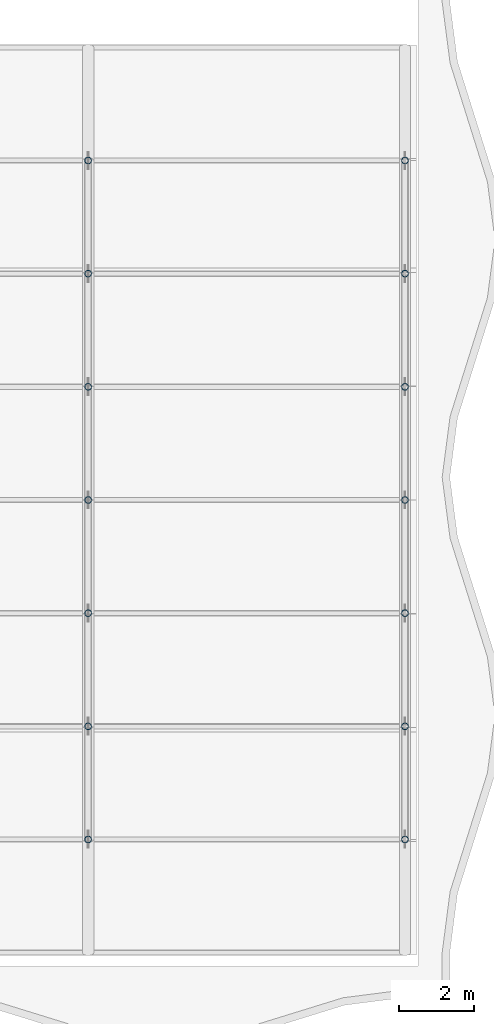
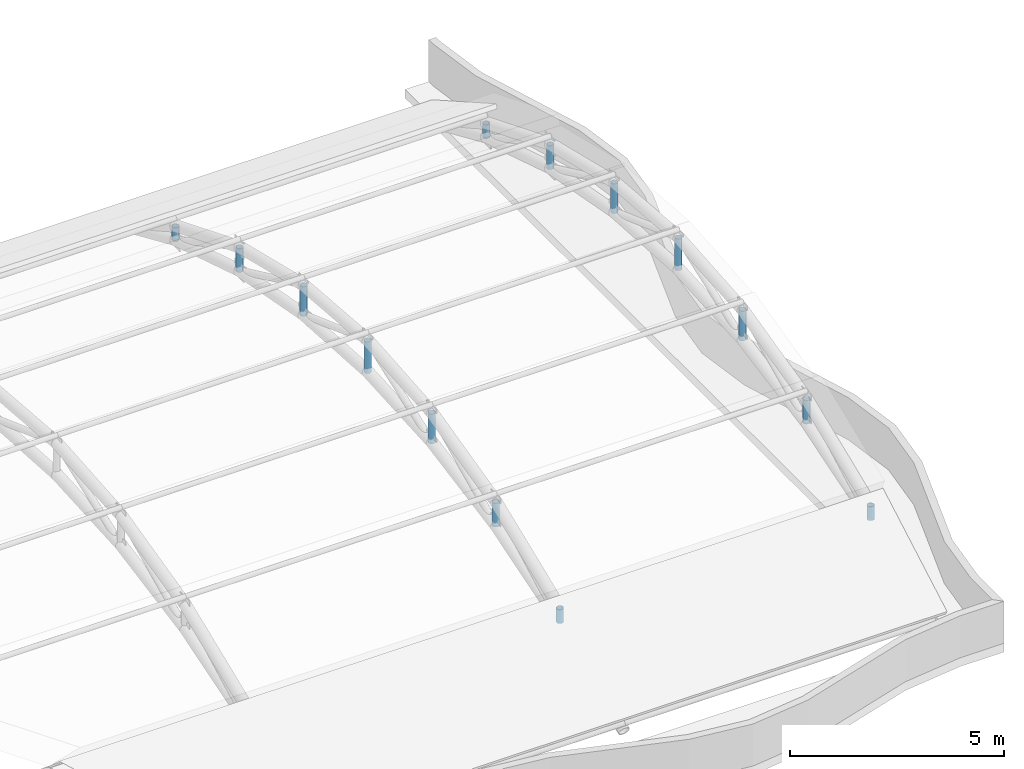
# One storey, part 95 of 163: 14 members.
"""IFC4 building model written with IfcOpenShell, lengths in metres."""

import ifcopenshell
import ifcopenshell.guid

model = None  # the IFC model being written
_history = None  # IfcOwnerHistory: only IFC2X3 demands one
_inside = {}  # id of a spatial element -> (the spatial element, [elements in it])
_under = {}  # id of a project, library or spatial element -> (it, [spatial elements below it])
_declared = {}  # id of a project -> (the project, [libraries it declares])
_typed = {}  # id of a type object -> (the type object, [elements of that type])
_made_of = {}  # id of a material, layer set ... -> (it, [elements and type objects made of it])


def new_model(schema):
    """Start an empty IFC model of exactly this schema.

    Asked for "IFC4X3", IfcOpenShell would pick the latest addendum, in which some entities
    have other attributes; the version numbers below select the first issue.
    IFC2X3 requires an IfcOwnerHistory on every rooted entity: one is made here for all.
    """
    global model, _history
    if schema == "IFC4X3":
        model = ifcopenshell.file(schema_version=(4, 3, 0, 0))
    else:
        model = ifcopenshell.file(schema=schema)
    _inside.clear()
    _under.clear()
    _declared.clear()
    _typed.clear()
    _made_of.clear()
    _history = None
    if model.schema == "IFC2X3":
        org = make("IfcOrganization", Name="unknown")
        user = make(
            "IfcPersonAndOrganization",
            ThePerson=make("IfcPerson", FamilyName="unknown"),
            TheOrganization=org,
        )
        app = make(
            "IfcApplication",
            ApplicationDeveloper=org,
            Version="unknown",
            ApplicationFullName="unknown",
            ApplicationIdentifier="unknown",
        )
        _history = make(
            "IfcOwnerHistory",
            OwningUser=user,
            OwningApplication=app,
            ChangeAction="ADDED",
            CreationDate=0,
        )
    return model


def make(cls, **values):
    """One entity of the class cls with the attributes given. An attribute that is None is left unset."""
    return model.create_entity(
        cls, **{name: value for name, value in values.items() if value is not None}
    )


def rooted(cls, **values):
    """An entity with a GlobalId (a new one), such as an element, a storey or a relation."""
    return make(cls, GlobalId=ifcopenshell.guid.new(), OwnerHistory=_history, **values)


def si_unit(unit_type, name, prefix=None):
    """IfcSIUnit, for example si_unit("LENGTHUNIT", "METRE", prefix="MILLI")."""
    return make("IfcSIUnit", UnitType=unit_type, Prefix=prefix, Name=name)


def assignment(units):
    """IfcUnitAssignment: the units of a project."""
    return None if units is None else make("IfcUnitAssignment", Units=units)


def point(xyz):
    """IfcCartesianPoint."""
    return None if xyz is None else make("IfcCartesianPoint", Coordinates=xyz)


def direction(xyz):
    """IfcDirection."""
    return None if xyz is None else make("IfcDirection", DirectionRatios=xyz)


def frame(location, z_axis=None, x_axis=None):
    """IfcAxis2Placement3D, a coordinate frame: its origin and axes. An axis left out is left unset."""
    return make(
        "IfcAxis2Placement3D",
        Location=point(location),
        Axis=direction(z_axis),
        RefDirection=direction(x_axis),
    )


def frame_2d(location, x_axis=None):
    """IfcAxis2Placement2D, a coordinate frame in the plane: its origin and x axis."""
    return make(
        "IfcAxis2Placement2D", Location=point(location), RefDirection=direction(x_axis)
    )


def origin():
    """The frame at (0, 0, 0) with its axes left unset."""
    return frame((0.0, 0.0, 0.0))


def origin_2d():
    """The frame at (0, 0) in the plane with its x axis left unset."""
    return frame_2d((0.0, 0.0))


def place(relative_to, where):
    """IfcLocalPlacement: puts the frame where relative to a parent placement (None: the world)."""
    return make(
        "IfcLocalPlacement", PlacementRelTo=relative_to, RelativePlacement=where
    )


def context(
    kind, dimensions, precision=None, world=None, true_north=None, identifier=None
):
    """IfcGeometricRepresentationContext, for example the 3D "Model" context."""
    return make(
        "IfcGeometricRepresentationContext",
        ContextIdentifier=identifier,
        ContextType=kind,
        CoordinateSpaceDimension=dimensions,
        Precision=precision,
        WorldCoordinateSystem=world,
        TrueNorth=true_north,
    )


def subcontext(parent, identifier, kind, view, scale=None):
    """IfcGeometricRepresentationSubContext, for example "Body" below "Model"."""
    return make(
        "IfcGeometricRepresentationSubContext",
        ContextIdentifier=identifier,
        ContextType=kind,
        ParentContext=parent,
        TargetScale=scale,
        TargetView=view,
    )


def project(units=None, contexts=None):
    """IfcProject with its units and contexts."""
    return rooted(
        "IfcProject",
        Name="project",
        RepresentationContexts=contexts,
        UnitsInContext=assignment(units),
    )


def spatial(cls, under=None, at=None, **own):
    """A site, building, storey or space (cls), placed at a placement, below another one or the project."""
    s = rooted(cls, ObjectPlacement=at, **own)
    if under is not None:
        _under.setdefault(under.id(), (under, []))[1].append(s)
    return s


def profile(cls, at=None, kind="AREA", **sizes):
    """A parametric profile (cls). Its sizes go by their IFC names, for example OverallWidth=200.0."""
    return make(cls, ProfileType=kind, Position=at, **sizes)


def hollow_circle(**sizes):
    """IfcCircleHollowProfileDef."""
    return profile("IfcCircleHollowProfileDef", **sizes)


def extrude(swept, where, along, depth):
    """IfcExtrudedAreaSolid: the profile swept, set in the frame where, extruded along a direction by depth."""
    return make(
        "IfcExtrudedAreaSolid",
        SweptArea=swept,
        Position=where,
        ExtrudedDirection=direction(along),
        Depth=depth,
    )


def shape(context_of_items, identifier, shape_type, items):
    """IfcShapeRepresentation: the items that make up one representation, for example the "Body"."""
    return make(
        "IfcShapeRepresentation",
        ContextOfItems=context_of_items,
        RepresentationIdentifier=identifier,
        RepresentationType=shape_type,
        Items=items,
    )


def material(Name=None, Category=None):
    """IfcMaterial."""
    return make("IfcMaterial", Name=Name, Category=Category)


def material_profile(
    of_material, cross_section, Name=None, Category=None, Priority=None
):
    """IfcMaterialProfile: a cross section and its material."""
    return make(
        "IfcMaterialProfile",
        Name=Name,
        Material=of_material,
        Profile=cross_section,
        Priority=Priority,
        Category=Category,
    )


def profile_set(profiles, Name=None, composite=None):
    """IfcMaterialProfileSet."""
    return make(
        "IfcMaterialProfileSet",
        Name=Name,
        MaterialProfiles=profiles,
        CompositeProfile=composite,
    )


def made_of(thing, what):
    """Note that an element or type object is made of a material, layer set ...; save() writes the relation."""
    if what is not None:
        _made_of.setdefault(what.id(), (what, []))[1].append(thing)
    return thing


def type_object(cls, material=None, **own):
    """A type object (cls), such as IfcWallType, which elements share."""
    return made_of(rooted(cls, **own), material)


def element(
    cls,
    number,
    at=None,
    inside=None,
    cuts=None,
    type_object=None,
    material=None,
    context=None,
    identifier="Body",
    shape_type=None,
    held_by="IfcProductDefinitionShape",
    body=None,
    shapes=None,
    **own,
):
    """One element of the class cls, such as IfcWall. Its Tag is "e" and its number.

    at: its placement. inside: the storey or other place that contains it. cuts: it is an
    opening in that element (IfcRelVoidsElement). A single representation is given by context,
    identifier, shape_type and body (its items); several are given by shapes. held_by: the class
    of the entity that holds the representations. save() writes the other relations.
    """
    e = rooted(cls, Tag="e%d" % number, ObjectPlacement=at, **own)
    if body is not None:
        shapes = [shape(context, identifier, shape_type, body)]
    if shapes is not None:
        e.Representation = make(held_by, Representations=shapes)
    if inside is not None:
        _inside.setdefault(inside.id(), (inside, []))[1].append(e)
    if cuts is not None:
        rooted(
            "IfcRelVoidsElement", RelatingBuildingElement=cuts, RelatedOpeningElement=e
        )
    if type_object is not None:
        _typed.setdefault(type_object.id(), (type_object, []))[1].append(e)
    return made_of(e, material)


def aggregate(whole, parts):
    """IfcRelAggregates: a whole, such as a stair, and the parts it consists of."""
    return rooted("IfcRelAggregates", RelatingObject=whole, RelatedObjects=parts)


def save(model, path):
    """Write the relations noted so far, then the file.

    IfcRelAggregates (storeys below a building ...), IfcRelContainedInSpatialStructure (elements
    in a storey), IfcRelDefinesByType, IfcRelAssociatesMaterial and IfcRelDeclares: one each for
    every whole, place, type object, material and project.
    """
    for whole, parts in _under.values():
        aggregate(whole, parts)
    for where, things in _inside.values():
        rooted(
            "IfcRelContainedInSpatialStructure",
            RelatedElements=things,
            RelatingStructure=where,
        )
    for kind, things in _typed.values():
        rooted("IfcRelDefinesByType", RelatedObjects=things, RelatingType=kind)
    for what, things in _made_of.values():
        rooted("IfcRelAssociatesMaterial", RelatedObjects=things, RelatingMaterial=what)
    for by, libraries in _declared.values():
        rooted("IfcRelDeclares", RelatingContext=by, RelatedDefinitions=libraries)
    model.write(path)


model = new_model("IFC4")

# Units and contexts
model_context = context("Model", 3, precision=1e-05, world=origin(), true_north=direction((0.0, 1.0)))
body_context = subcontext(model_context, "Body", "Model", "MODEL_VIEW")
ifc_project = project(units=[si_unit("LENGTHUNIT", "METRE"), si_unit("AREAUNIT", "SQUARE_METRE"), si_unit("VOLUMEUNIT", "CUBIC_METRE"), si_unit("PLANEANGLEUNIT", "RADIAN"), si_unit("MASSUNIT", "GRAM", prefix="KILO")], contexts=[model_context])

# Site, building, storey
site_placement = place(None, origin())
site = spatial("IfcSite", under=ifc_project, at=site_placement, CompositionType="ELEMENT")
building_placement = place(site_placement, origin())
building = spatial("IfcBuilding", under=site, at=building_placement, Name="Rain Tree Exposition and Congress Centre", CompositionType="ELEMENT")
storey_placement = place(building_placement, frame((0.0, 0.0, 10.5)))
storey = spatial("IfcBuildingStorey", under=building, at=storey_placement, Name="L02", CompositionType="ELEMENT", Elevation=10.5)

# Members
ifc_material = material(Name="Steel S355J2H", Category="steel")
ifc_material_profile = material_profile(ifc_material, hollow_circle(Radius=0.090087890625, WallThickness=0.008056640625, at=origin_2d()), Name="CHS 180x8")
ifc_profile_set = profile_set([ifc_material_profile], Name="Steel S355J2H")
member_type = type_object("IfcMemberType", Name="Steel post member CHS 180x8", PredefinedType="POST", material=ifc_profile_set)
member_1_placement = place(storey_placement, frame((260.39990234375, 78.60009765625, 1.4423828125), z_axis=(0.0, 0.0, 1.0), x_axis=(1.0, 0.0, 0.0)))
element("IfcMember", 1, at=member_1_placement, inside=storey, type_object=member_type, Name="Roof truss 32 post 1", PredefinedType="POST", context=body_context, shape_type="SweptSolid", body=[
    extrude(hollow_circle(Radius=0.090087890625, WallThickness=0.008056640625, at=origin_2d()), origin(), (0.0, 0.0, 1.0), 0.393798828125),
])
member_2_placement = place(storey_placement, frame((260.39990234375, 81.60009765625, 2.3798828125), z_axis=(0.0, 0.0, 1.0), x_axis=(1.0, 0.0, 0.0)))
element("IfcMember", 2, at=member_2_placement, inside=storey, type_object=member_type, Name="Roof truss 32 post 2", PredefinedType="POST", context=body_context, shape_type="SweptSolid", body=[
    extrude(hollow_circle(Radius=0.090087890625, WallThickness=0.008056640625, at=origin_2d()), origin(), (0.0, 0.0, 1.0), 0.675048828125),
])
member_3_placement = place(storey_placement, frame((260.39990234375, 84.60009765625, 2.9423828125), z_axis=(0.0, 0.0, 1.0), x_axis=(1.0, 0.0, 0.0)))
element("IfcMember", 3, at=member_3_placement, inside=storey, type_object=member_type, Name="Roof truss 32 post 3", PredefinedType="POST", context=body_context, shape_type="SweptSolid", body=[
    extrude(hollow_circle(Radius=0.090087890625, WallThickness=0.008056640625, at=origin_2d()), origin(), (0.0, 0.0, 1.0), 0.843994140625),
])
member_4_placement = place(storey_placement, frame((260.39990234375, 87.60009765625, 3.1298828125), z_axis=(0.0, 0.0, 1.0), x_axis=(1.0, 0.0, 0.0)))
element("IfcMember", 4, at=member_4_placement, inside=storey, type_object=member_type, Name="Roof truss 32 post 4", PredefinedType="POST", context=body_context, shape_type="SweptSolid", body=[
    extrude(hollow_circle(Radius=0.090087890625, WallThickness=0.008056640625, at=origin_2d()), origin(), (0.0, 0.0, 1.0), 0.900146484375),
])
member_5_placement = place(storey_placement, frame((260.39990234375, 90.60009765625, 2.9423828125), z_axis=(0.0, 0.0, 1.0), x_axis=(1.0, 0.0, 0.0)))
element("IfcMember", 5, at=member_5_placement, inside=storey, type_object=member_type, Name="Roof truss 32 post 5", PredefinedType="POST", context=body_context, shape_type="SweptSolid", body=[
    extrude(hollow_circle(Radius=0.090087890625, WallThickness=0.008056640625, at=origin_2d()), origin(), (0.0, 0.0, 1.0), 0.843994140625),
])
member_6_placement = place(storey_placement, frame((260.39990234375, 93.60009765625, 2.3798828125), z_axis=(0.0, 0.0, 1.0), x_axis=(1.0, 0.0, 0.0)))
element("IfcMember", 6, at=member_6_placement, inside=storey, type_object=member_type, Name="Roof truss 32 post 6", PredefinedType="POST", context=body_context, shape_type="SweptSolid", body=[
    extrude(hollow_circle(Radius=0.090087890625, WallThickness=0.008056640625, at=origin_2d()), origin(), (0.0, 0.0, 1.0), 0.675048828125),
])
for number, where, z_axis, x_axis, name in (
    (7, (260.39990234375, 96.60009765625, 1.4423828125), (0.0, 0.0, 1.0), (1.0, 0.0, 0.0), "Roof truss 32 post 7"),
    (8, (268.800048828125, 78.60009765625, 1.4423828125), (0.0, 0.0, 1.0), (1.0, 0.0, 0.0), "Roof truss 33 post 1"),
):
    element("IfcMember", number, at=place(storey_placement, frame(where, z_axis=z_axis, x_axis=x_axis)), inside=storey, type_object=member_type, Name=name, PredefinedType="POST", context=body_context, shape_type="SweptSolid", body=[
        extrude(hollow_circle(Radius=0.090087890625, WallThickness=0.008056640625, at=origin_2d()), origin(), (0.0, 0.0, 1.0), 0.393798828125),
    ])
member_7_placement = place(storey_placement, frame((268.800048828125, 81.60009765625, 2.3798828125), z_axis=(0.0, 0.0, 1.0), x_axis=(1.0, 0.0, 0.0)))
element("IfcMember", 9, at=member_7_placement, inside=storey, type_object=member_type, Name="Roof truss 33 post 2", PredefinedType="POST", context=body_context, shape_type="SweptSolid", body=[
    extrude(hollow_circle(Radius=0.090087890625, WallThickness=0.008056640625, at=origin_2d()), origin(), (0.0, 0.0, 1.0), 0.675048828125),
])
member_8_placement = place(storey_placement, frame((268.800048828125, 84.60009765625, 2.9423828125), z_axis=(0.0, 0.0, 1.0), x_axis=(1.0, 0.0, 0.0)))
element("IfcMember", 10, at=member_8_placement, inside=storey, type_object=member_type, Name="Roof truss 33 post 3", PredefinedType="POST", context=body_context, shape_type="SweptSolid", body=[
    extrude(hollow_circle(Radius=0.090087890625, WallThickness=0.008056640625, at=origin_2d()), origin(), (0.0, 0.0, 1.0), 0.843994140625),
])
member_9_placement = place(storey_placement, frame((268.800048828125, 87.60009765625, 3.1298828125), z_axis=(0.0, 0.0, 1.0), x_axis=(1.0, 0.0, 0.0)))
element("IfcMember", 11, at=member_9_placement, inside=storey, type_object=member_type, Name="Roof truss 33 post 4", PredefinedType="POST", context=body_context, shape_type="SweptSolid", body=[
    extrude(hollow_circle(Radius=0.090087890625, WallThickness=0.008056640625, at=origin_2d()), origin(), (0.0, 0.0, 1.0), 0.900146484375),
])
member_10_placement = place(storey_placement, frame((268.800048828125, 90.60009765625, 2.9423828125), z_axis=(0.0, 0.0, 1.0), x_axis=(1.0, 0.0, 0.0)))
element("IfcMember", 12, at=member_10_placement, inside=storey, type_object=member_type, Name="Roof truss 33 post 5", PredefinedType="POST", context=body_context, shape_type="SweptSolid", body=[
    extrude(hollow_circle(Radius=0.090087890625, WallThickness=0.008056640625, at=origin_2d()), origin(), (0.0, 0.0, 1.0), 0.843994140625),
])
member_11_placement = place(storey_placement, frame((268.800048828125, 93.60009765625, 2.3798828125), z_axis=(0.0, 0.0, 1.0), x_axis=(1.0, 0.0, 0.0)))
element("IfcMember", 13, at=member_11_placement, inside=storey, type_object=member_type, Name="Roof truss 33 post 6", PredefinedType="POST", context=body_context, shape_type="SweptSolid", body=[
    extrude(hollow_circle(Radius=0.090087890625, WallThickness=0.008056640625, at=origin_2d()), origin(), (0.0, 0.0, 1.0), 0.675048828125),
])
member_12_placement = place(storey_placement, frame((268.800048828125, 96.60009765625, 1.4423828125), z_axis=(0.0, 0.0, 1.0), x_axis=(1.0, 0.0, 0.0)))
element("IfcMember", 14, at=member_12_placement, inside=storey, type_object=member_type, Name="Roof truss 33 post 7", PredefinedType="POST", context=body_context, shape_type="SweptSolid", body=[
    extrude(hollow_circle(Radius=0.090087890625, WallThickness=0.008056640625, at=origin_2d()), origin(), (0.0, 0.0, 1.0), 0.393798828125),
])

save(model, "model.ifc")
